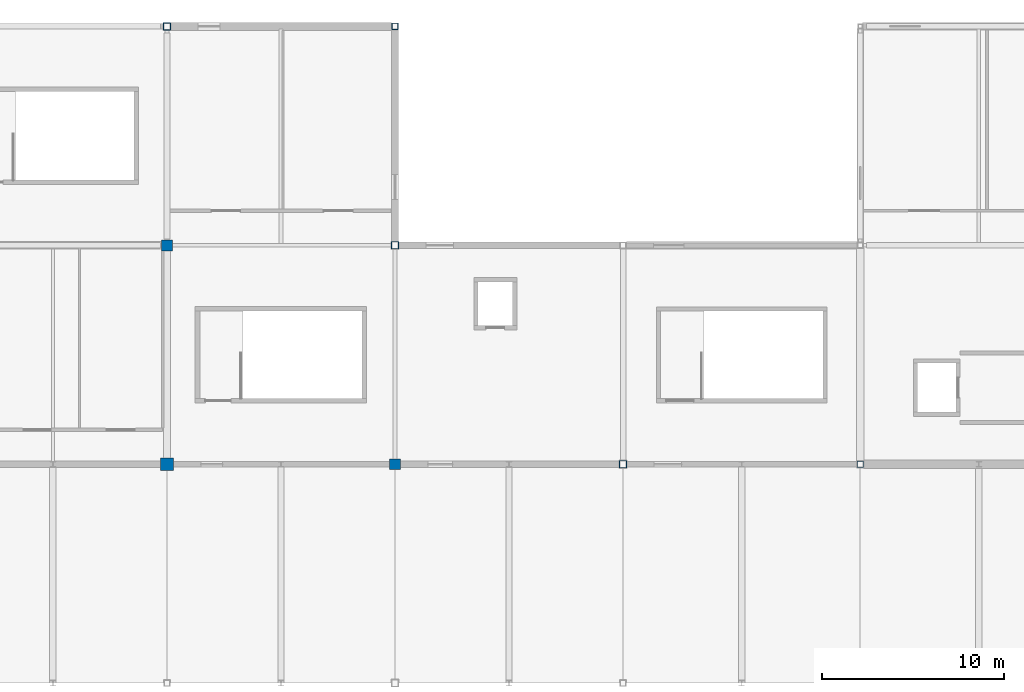
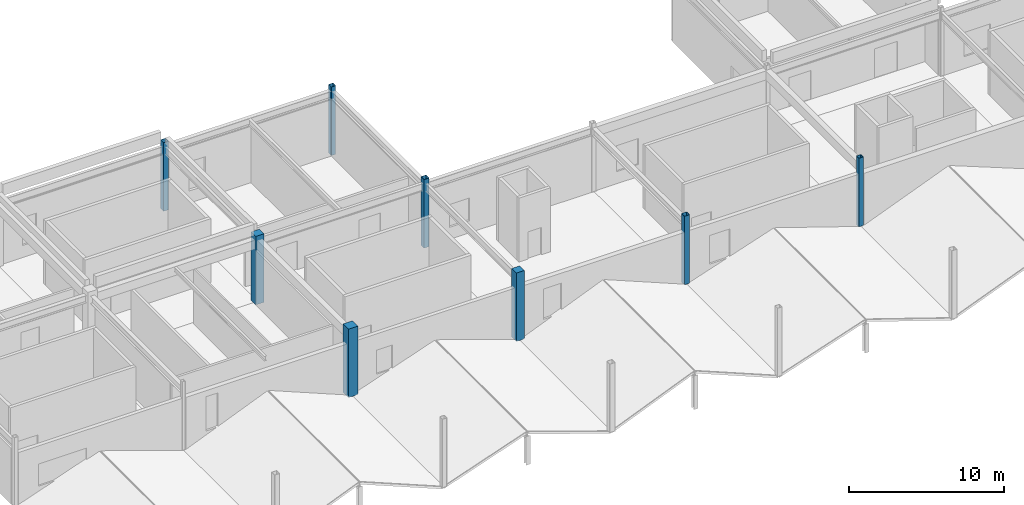
# One storey, part 21 of 76: 8 columns.
"""IFC4 building model written with IfcOpenShell, lengths in metres."""

from ifc_helpers import new_model, si_unit, direction, frame, origin, origin_2d, place, context, subcontext, project, spatial, rectangle, hollow_rectangle, extrude, material, material_profile, profile_set, type_object, element, save


model = new_model("IFC4")

# Units and contexts
model_context = context("Model", 3, precision=1e-05, world=origin(), true_north=direction((0.0, 1.0)))
body_context = subcontext(model_context, "Body", "Model", "MODEL_VIEW")
ifc_project = project(units=[si_unit("LENGTHUNIT", "METRE"), si_unit("AREAUNIT", "SQUARE_METRE"), si_unit("VOLUMEUNIT", "CUBIC_METRE"), si_unit("PLANEANGLEUNIT", "RADIAN"), si_unit("MASSUNIT", "GRAM", prefix="KILO")], contexts=[model_context])

# Site, building, storey
site_placement = place(None, origin())
site = spatial("IfcSite", under=ifc_project, at=site_placement, CompositionType="ELEMENT")
building_placement = place(site_placement, origin())
building = spatial("IfcBuilding", under=site, at=building_placement, Name="Kazenohara Klinker Stadium", CompositionType="ELEMENT")
storey_placement = place(building_placement, frame((0.0, 0.0, 25.800048828125)))
storey = spatial("IfcBuildingStorey", under=building, at=storey_placement, Name="L05", CompositionType="ELEMENT", Elevation=25.800048828125)

# Columns
ifc_material_1 = material(Name="Concrete C40/50", Category="concrete")
ifc_material_profile_1 = material_profile(ifc_material_1, rectangle(XDim=0.699951171875, YDim=0.699951171875, at=origin_2d()), Name="RC-COL-700x700")
ifc_profile_set_1 = profile_set([ifc_material_profile_1], Name="Concrete C40/50")
column_type_1 = type_object("IfcColumnType", Name="COL-RC06", PredefinedType="COLUMN", material=ifc_profile_set_1)
column_placement = place(storey_placement, frame((74.0, 144.0, 0.0), z_axis=(0.0, 0.0, 1.0), x_axis=(1.0, 0.0, 0.0)))
element("IfcColumn", 1, at=column_placement, inside=storey, type_object=column_type_1, Name="Column C06 L05 7/N", PredefinedType="COLUMN", context=body_context, shape_type="SweptSolid", body=[
    extrude(rectangle(XDim=0.699951171875, YDim=0.699951171875, at=origin_2d()), origin(), (0.0, 0.0, 1.0), 5.39990234375),
])
ifc_material_profile_2 = material_profile(ifc_material_1, rectangle(XDim=0.60009765625, YDim=0.60009765625, at=origin_2d()), Name="RC-COL-600x600")
ifc_profile_set_2 = profile_set([ifc_material_profile_2], Name="Concrete C40/50")
column_type_2 = type_object("IfcColumnType", Name="COL-RC07", PredefinedType="COLUMN", material=ifc_profile_set_2)
for number, where, z_axis, x_axis, name in (
    (2, (74.0, 156.0, 0.0), (0.0, 0.0, 1.0), (1.0, 0.0, 0.0), "Column C07 L05 7/P"),
    (3, (86.5, 144.0, 0.0), (0.0, 0.0, 1.0), (1.0, 0.0, 0.0), "Column C07 L05 8/N"),
):
    element("IfcColumn", number, at=place(storey_placement, frame(where, z_axis=z_axis, x_axis=x_axis)), inside=storey, type_object=column_type_2, Name=name, PredefinedType="COLUMN", context=body_context, shape_type="SweptSolid", body=[
        extrude(rectangle(XDim=0.60009765625, YDim=0.60009765625, at=origin_2d()), origin(), (0.0, 0.0, 1.0), 5.39990234375),
    ])
ifc_material_2 = material(Name="Steel S355", Category="steel")
ifc_material_profile_3 = material_profile(ifc_material_2, hollow_rectangle(XDim=0.39990234375, YDim=0.39990234375, WallThickness=0.01611328125, InnerFilletRadius=0.01611328125, OuterFilletRadius=0.031982421875, at=origin_2d()), Name="SHS-400x400x16")
ifc_profile_set_3 = profile_set([ifc_material_profile_3], Name="Steel S355")
column_type_3 = type_object("IfcColumnType", Name="COL-ST01", PredefinedType="COLUMN", material=ifc_profile_set_3)
for number, where, z_axis, x_axis, name in (
    (4, (74.0, 168.0, 0.0), (0.0, 0.0, 1.0), (1.0, 0.0, 0.0), "Column SC01 L05 7/Q"),
    (5, (86.5, 156.0, 0.0), (0.0, 0.0, 1.0), (1.0, 0.0, 0.0), "Column SC01 L05 8/P"),
    (6, (99.0, 144.0, 0.0), (0.0, 0.0, 1.0), (1.0, 0.0, 0.0), "Column SC01 L05 9/N"),
):
    element("IfcColumn", number, at=place(storey_placement, frame(where, z_axis=z_axis, x_axis=x_axis)), inside=storey, type_object=column_type_3, Name=name, PredefinedType="COLUMN", context=body_context, shape_type="SweptSolid", body=[
        extrude(hollow_rectangle(XDim=0.39990234375, YDim=0.39990234375, WallThickness=0.01611328125, InnerFilletRadius=0.01611328125, OuterFilletRadius=0.031982421875, at=origin_2d()), origin(), (0.0, 0.0, 1.0), 5.39990234375),
    ])
ifc_material_profile_4 = material_profile(ifc_material_2, hollow_rectangle(XDim=0.35009765625, YDim=0.35009765625, WallThickness=0.01611328125, InnerFilletRadius=0.01611328125, OuterFilletRadius=0.031982421875, at=origin_2d()), Name="SHS-350x350x16")
ifc_profile_set_4 = profile_set([ifc_material_profile_4], Name="Steel S355")
column_type_4 = type_object("IfcColumnType", Name="COL-ST02", PredefinedType="COLUMN", material=ifc_profile_set_4)
for number, where, z_axis, x_axis, name in (
    (7, (86.5, 168.0, 0.0), (0.0, 0.0, 1.0), (1.0, 0.0, 0.0), "Column SC02 L05 8/Q"),
    (8, (112.0, 144.0, 0.0), (0.0, 0.0, 1.0), (1.0, 0.0, 0.0), "Column SC02 L05 10/N"),
):
    element("IfcColumn", number, at=place(storey_placement, frame(where, z_axis=z_axis, x_axis=x_axis)), inside=storey, type_object=column_type_4, Name=name, PredefinedType="COLUMN", context=body_context, shape_type="SweptSolid", body=[
        extrude(hollow_rectangle(XDim=0.35009765625, YDim=0.35009765625, WallThickness=0.01611328125, InnerFilletRadius=0.01611328125, OuterFilletRadius=0.031982421875, at=origin_2d()), origin(), (0.0, 0.0, 1.0), 5.39990234375),
    ])

save(model, "model.ifc")
